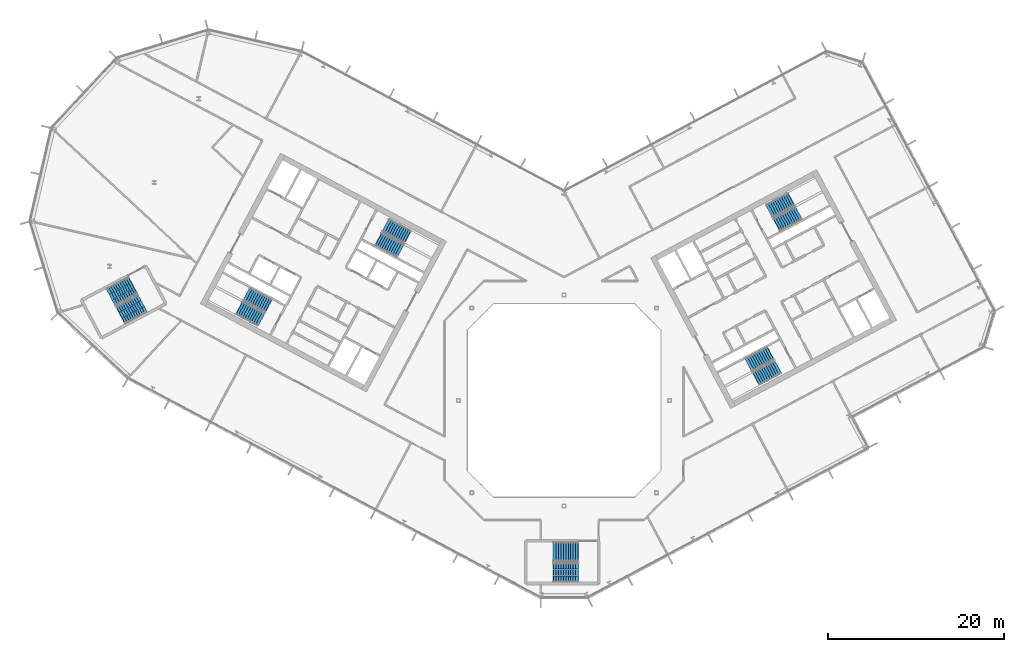
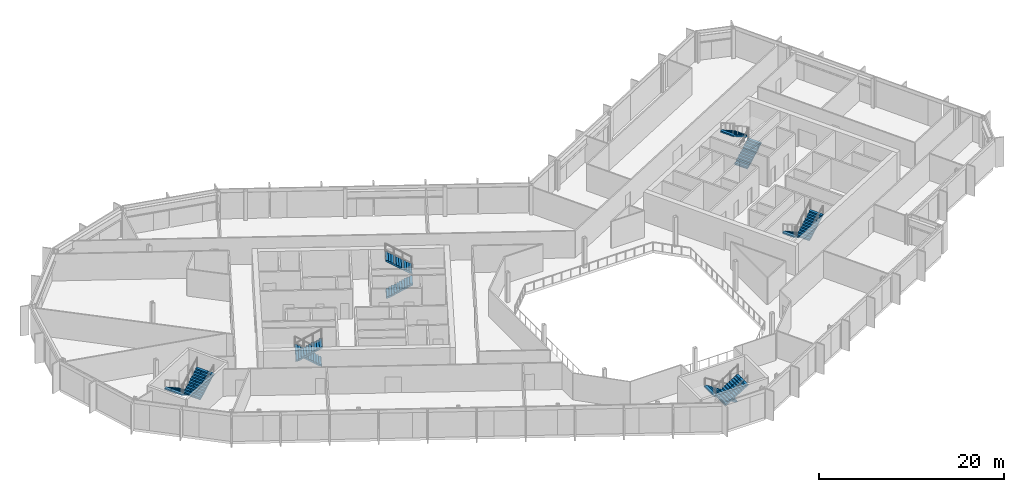
# One storey, part 17 of 26: 12 stair flights, 6 elements without a shape of their own.
"""IFC4 building model written with IfcOpenShell, lengths in metres."""

from ifc_helpers import new_model, si_unit, direction, frame, origin, place, context, subcontext, project, spatial, polyline, outline, extrude, material, type_object, element, aggregate, save


model = new_model("IFC4")

# Units and contexts
model_context = context("Model", 3, precision=1e-05, world=origin(), true_north=direction((0.0, 1.0)))
body_context = subcontext(model_context, "Body", "Model", "MODEL_VIEW")
ifc_project = project(units=[si_unit("LENGTHUNIT", "METRE"), si_unit("AREAUNIT", "SQUARE_METRE"), si_unit("VOLUMEUNIT", "CUBIC_METRE"), si_unit("PLANEANGLEUNIT", "RADIAN"), si_unit("MASSUNIT", "GRAM", prefix="KILO")], contexts=[model_context])

# Site, building, storey
site_placement = place(None, origin())
site = spatial("IfcSite", under=ifc_project, at=site_placement, CompositionType="ELEMENT")
building_placement = place(site_placement, origin())
building = spatial("IfcBuilding", under=site, at=building_placement, Name="Cormorant Relay Tower", CompositionType="ELEMENT")
storey_placement = place(building_placement, frame((0.0, 0.0, 244.199951171875)))
storey = spatial("IfcBuildingStorey", under=building, at=storey_placement, Name="L54", CompositionType="ELEMENT", Elevation=244.199951171875)

# Stair, stair flights
ifc_material_1 = material(Name="Concrete 40 MPa", Category="concrete")
stair_type_1 = type_object("IfcStairType", Name="Exit stair 1500", PredefinedType="HALF_TURN_STAIR", material=ifc_material_1)
stair_1_placement = place(storey_placement, origin())
stair_1 = element("IfcStair", 1, at=stair_1_placement, inside=storey, type_object=stair_type_1, Name="L54 Stair", PredefinedType="HALF_TURN_STAIR")
ifc_material_2 = material(Name="Concrete 40 MPa", Category="concrete")
stair_flight_type_1 = type_object("IfcStairFlightType", Name="Exit stair flight 1650", PredefinedType="STRAIGHT", material=ifc_material_2)
stair_flight_1_placement = place(storey_placement, frame((-21.114501953125, 18.33349609375, 0.0), z_axis=(0.0, 0.0, 1.0), x_axis=(0.882947592859, -0.469471562786, 0.0)))
stair_flight_1 = element("IfcStairFlight", 2, at=stair_flight_1_placement, type_object=stair_flight_type_1, Name="A1 flight 1", NumberOfRisers=11, NumberOfTreads=10, PredefinedType="STRAIGHT", RiserHeight=0.177272727, TreadLength=0.28, context=body_context, shape_type="SweptSolid", body=[
    extrude(outline(polyline([(-0.050048828125, -0.080078125), (-0.050048828125, 0.0), (0.0, 0.0), (0.0, 0.17724609375), (0.280029296875, 0.17724609375), (0.280029296875, 0.3544921875), (0.56005859375, 0.3544921875), (0.56005859375, 0.53173828125), (0.840087890625, 0.53173828125), (0.840087890625, 0.708984375), (1.1201171875, 0.708984375), (1.1201171875, 0.886474609375), (1.39990234375, 0.886474609375), (1.39990234375, 1.063720703125), (1.679931640625, 1.063720703125), (1.679931640625, 1.240966796875), (1.9599609375, 1.240966796875), (1.9599609375, 1.418212890625), (2.239990234375, 1.418212890625), (2.239990234375, 1.595458984375), (2.52001953125, 1.595458984375), (2.52001953125, 1.772705078125), (2.800048828125, 1.772705078125), (2.85009765625, 1.772705078125), (2.85009765625, 1.59521484375), (2.800048828125, 1.59521484375), (0.2802734375, 0.0), (-0.050048828125, -0.080078125)])), frame((0.0, 0.824951171875, 0.0), z_axis=(0.0, -1.0, 0.0), x_axis=(1.0, 0.0, 0.0)), (0.0, 0.0, 1.0), 1.64990234375),
])
stair_flight_2_placement = place(storey_placement, frame((-17.797119140625, 18.6083984375, 1.949951171875), z_axis=(0.0, 0.0, 1.0), x_axis=(-0.882947592859, 0.469471562786, 0.0)))
stair_flight_2 = element("IfcStairFlight", 3, at=stair_flight_2_placement, type_object=stair_flight_type_1, Name="A1 flight 2", NumberOfRisers=11, NumberOfTreads=10, PredefinedType="STRAIGHT", RiserHeight=0.177272727, TreadLength=0.28, context=body_context, shape_type="SweptSolid", body=[
    extrude(outline(polyline([(-0.050048828125, -0.080078125), (-0.050048828125, 0.0), (0.0, 0.0), (0.0, 0.17724609375), (0.280029296875, 0.17724609375), (0.280029296875, 0.3544921875), (0.56005859375, 0.3544921875), (0.56005859375, 0.53173828125), (0.840087890625, 0.53173828125), (0.840087890625, 0.708984375), (1.1201171875, 0.708984375), (1.1201171875, 0.886474609375), (1.39990234375, 0.886474609375), (1.39990234375, 1.063720703125), (1.679931640625, 1.063720703125), (1.679931640625, 1.240966796875), (1.9599609375, 1.240966796875), (1.9599609375, 1.418212890625), (2.239990234375, 1.418212890625), (2.239990234375, 1.595458984375), (2.52001953125, 1.595458984375), (2.52001953125, 1.772705078125), (2.800048828125, 1.772705078125), (2.85009765625, 1.772705078125), (2.85009765625, 1.59521484375), (2.800048828125, 1.59521484375), (0.2802734375, 0.0), (-0.050048828125, -0.080078125)])), frame((0.0, 0.824951171875, 0.0), z_axis=(0.0, -1.0, 0.0), x_axis=(1.0, 0.0, 0.0)), (0.0, 0.0, 1.0), 1.64990234375),
])
aggregate(stair_1, [stair_flight_1, stair_flight_2])

stair_2_placement = place(storey_placement, origin())
stair_2 = element("IfcStair", 4, at=stair_2_placement, inside=storey, type_object=stair_type_1, Name="L54 Stair", PredefinedType="HALF_TURN_STAIR")
stair_flight_3_placement = place(storey_placement, frame((-33.62841796875, 10.773681640625, 0.0), z_axis=(0.0, 0.0, 1.0), x_axis=(-0.882947592859, 0.469471562786, 0.0)))
stair_flight_3 = element("IfcStairFlight", 5, at=stair_flight_3_placement, type_object=stair_flight_type_1, Name="A2 flight 1", NumberOfRisers=11, NumberOfTreads=10, PredefinedType="STRAIGHT", RiserHeight=0.177272727, TreadLength=0.28, context=body_context, shape_type="SweptSolid", body=[
    extrude(outline(polyline([(-0.050048828125, -0.080078125), (-0.050048828125, 0.0), (0.0, 0.0), (0.0, 0.17724609375), (0.280029296875, 0.17724609375), (0.280029296875, 0.3544921875), (0.56005859375, 0.3544921875), (0.56005859375, 0.53173828125), (0.840087890625, 0.53173828125), (0.840087890625, 0.708984375), (1.1201171875, 0.708984375), (1.1201171875, 0.886474609375), (1.39990234375, 0.886474609375), (1.39990234375, 1.063720703125), (1.679931640625, 1.063720703125), (1.679931640625, 1.240966796875), (1.9599609375, 1.240966796875), (1.9599609375, 1.418212890625), (2.239990234375, 1.418212890625), (2.239990234375, 1.595458984375), (2.52001953125, 1.595458984375), (2.52001953125, 1.772705078125), (2.800048828125, 1.772705078125), (2.85009765625, 1.772705078125), (2.85009765625, 1.59521484375), (2.800048828125, 1.59521484375), (0.2802734375, 0.0), (-0.050048828125, -0.080078125)])), frame((0.0, 0.824951171875, 0.0), z_axis=(0.0, -1.0, 0.0), x_axis=(1.0, 0.0, 0.0)), (0.0, 0.0, 1.0), 1.64990234375),
])
stair_flight_4_placement = place(storey_placement, frame((-36.945556640625, 10.498779296875, 1.949951171875), z_axis=(0.0, 0.0, 1.0), x_axis=(0.882947592859, -0.469471562786, 0.0)))
stair_flight_4 = element("IfcStairFlight", 6, at=stair_flight_4_placement, type_object=stair_flight_type_1, Name="A2 flight 2", NumberOfRisers=11, NumberOfTreads=10, PredefinedType="STRAIGHT", RiserHeight=0.177272727, TreadLength=0.28, context=body_context, shape_type="SweptSolid", body=[
    extrude(outline(polyline([(-0.050048828125, -0.080078125), (-0.050048828125, 0.0), (0.0, 0.0), (0.0, 0.17724609375), (0.280029296875, 0.17724609375), (0.280029296875, 0.3544921875), (0.56005859375, 0.3544921875), (0.56005859375, 0.53173828125), (0.840087890625, 0.53173828125), (0.840087890625, 0.708984375), (1.1201171875, 0.708984375), (1.1201171875, 0.886474609375), (1.39990234375, 0.886474609375), (1.39990234375, 1.063720703125), (1.679931640625, 1.063720703125), (1.679931640625, 1.240966796875), (1.9599609375, 1.240966796875), (1.9599609375, 1.418212890625), (2.239990234375, 1.418212890625), (2.239990234375, 1.595458984375), (2.52001953125, 1.595458984375), (2.52001953125, 1.772705078125), (2.800048828125, 1.772705078125), (2.85009765625, 1.772705078125), (2.85009765625, 1.59521484375), (2.800048828125, 1.59521484375), (0.2802734375, 0.0), (-0.050048828125, -0.080078125)])), frame((0.0, 0.824951171875, 0.0), z_axis=(0.0, -1.0, 0.0), x_axis=(1.0, 0.0, 0.0)), (0.0, 0.0, 1.0), 1.64990234375),
])
aggregate(stair_2, [stair_flight_3, stair_flight_4])

stair_3_placement = place(storey_placement, origin())
stair_3 = element("IfcStair", 7, at=stair_3_placement, inside=storey, type_object=stair_type_1, Name="L54 Stair", PredefinedType="HALF_TURN_STAIR")
stair_flight_5_placement = place(storey_placement, frame((23.474365234375, 5.374755859375, 0.0), z_axis=(0.0, 0.0, 1.0), x_axis=(-0.882947592859, -0.469471562786, 0.0)))
stair_flight_5 = element("IfcStairFlight", 8, at=stair_flight_5_placement, type_object=stair_flight_type_1, Name="B1 flight 1", NumberOfRisers=11, NumberOfTreads=10, PredefinedType="STRAIGHT", RiserHeight=0.177272727, TreadLength=0.28, context=body_context, shape_type="SweptSolid", body=[
    extrude(outline(polyline([(-0.050048828125, -0.080078125), (-0.050048828125, 0.0), (0.0, 0.0), (0.0, 0.17724609375), (0.280029296875, 0.17724609375), (0.280029296875, 0.3544921875), (0.56005859375, 0.3544921875), (0.56005859375, 0.53173828125), (0.840087890625, 0.53173828125), (0.840087890625, 0.708984375), (1.1201171875, 0.708984375), (1.1201171875, 0.886474609375), (1.39990234375, 0.886474609375), (1.39990234375, 1.063720703125), (1.679931640625, 1.063720703125), (1.679931640625, 1.240966796875), (1.9599609375, 1.240966796875), (1.9599609375, 1.418212890625), (2.239990234375, 1.418212890625), (2.239990234375, 1.595458984375), (2.52001953125, 1.595458984375), (2.52001953125, 1.772705078125), (2.800048828125, 1.772705078125), (2.85009765625, 1.772705078125), (2.85009765625, 1.59521484375), (2.800048828125, 1.59521484375), (0.2802734375, 0.0), (-0.050048828125, -0.080078125)])), frame((0.0, 0.824951171875, 0.0), z_axis=(0.0, -1.0, 0.0), x_axis=(1.0, 0.0, 0.0)), (0.0, 0.0, 1.0), 1.64990234375),
])
stair_flight_6_placement = place(storey_placement, frame((21.84716796875, 2.470947265625, 1.949951171875), z_axis=(0.0, 0.0, 1.0), x_axis=(0.882947592859, 0.469471562786, 0.0)))
stair_flight_6 = element("IfcStairFlight", 9, at=stair_flight_6_placement, type_object=stair_flight_type_1, Name="B1 flight 2", NumberOfRisers=11, NumberOfTreads=10, PredefinedType="STRAIGHT", RiserHeight=0.177272727, TreadLength=0.28, context=body_context, shape_type="SweptSolid", body=[
    extrude(outline(polyline([(-0.050048828125, -0.080078125), (-0.050048828125, 0.0), (0.0, 0.0), (0.0, 0.17724609375), (0.280029296875, 0.17724609375), (0.280029296875, 0.3544921875), (0.56005859375, 0.3544921875), (0.56005859375, 0.53173828125), (0.840087890625, 0.53173828125), (0.840087890625, 0.708984375), (1.1201171875, 0.708984375), (1.1201171875, 0.886474609375), (1.39990234375, 0.886474609375), (1.39990234375, 1.063720703125), (1.679931640625, 1.063720703125), (1.679931640625, 1.240966796875), (1.9599609375, 1.240966796875), (1.9599609375, 1.418212890625), (2.239990234375, 1.418212890625), (2.239990234375, 1.595458984375), (2.52001953125, 1.595458984375), (2.52001953125, 1.772705078125), (2.800048828125, 1.772705078125), (2.85009765625, 1.772705078125), (2.85009765625, 1.59521484375), (2.800048828125, 1.59521484375), (0.2802734375, 0.0), (-0.050048828125, -0.080078125)])), frame((0.0, 0.824951171875, 0.0), z_axis=(0.0, -1.0, 0.0), x_axis=(1.0, 0.0, 0.0)), (0.0, 0.0, 1.0), 1.64990234375),
])
aggregate(stair_3, [stair_flight_5, stair_flight_6])

stair_4_placement = place(storey_placement, origin())
stair_4 = element("IfcStair", 10, at=stair_4_placement, inside=storey, type_object=stair_type_1, Name="L54 Stair", PredefinedType="HALF_TURN_STAIR")
stair_flight_7_placement = place(storey_placement, frame((24.20458984375, 19.976806640625, 0.0), z_axis=(0.0, 0.0, 1.0), x_axis=(0.882947592859, 0.469471562786, 0.0)))
stair_flight_7 = element("IfcStairFlight", 11, at=stair_flight_7_placement, type_object=stair_flight_type_1, Name="B2 flight 1", NumberOfRisers=11, NumberOfTreads=10, PredefinedType="STRAIGHT", RiserHeight=0.177272727, TreadLength=0.28, context=body_context, shape_type="SweptSolid", body=[
    extrude(outline(polyline([(-0.050048828125, -0.080078125), (-0.050048828125, 0.0), (0.0, 0.0), (0.0, 0.17724609375), (0.280029296875, 0.17724609375), (0.280029296875, 0.3544921875), (0.56005859375, 0.3544921875), (0.56005859375, 0.53173828125), (0.840087890625, 0.53173828125), (0.840087890625, 0.708984375), (1.1201171875, 0.708984375), (1.1201171875, 0.886474609375), (1.39990234375, 0.886474609375), (1.39990234375, 1.063720703125), (1.679931640625, 1.063720703125), (1.679931640625, 1.240966796875), (1.9599609375, 1.240966796875), (1.9599609375, 1.418212890625), (2.239990234375, 1.418212890625), (2.239990234375, 1.595458984375), (2.52001953125, 1.595458984375), (2.52001953125, 1.772705078125), (2.800048828125, 1.772705078125), (2.85009765625, 1.772705078125), (2.85009765625, 1.59521484375), (2.800048828125, 1.59521484375), (0.2802734375, 0.0), (-0.050048828125, -0.080078125)])), frame((0.0, 0.824951171875, 0.0), z_axis=(0.0, -1.0, 0.0), x_axis=(1.0, 0.0, 0.0)), (0.0, 0.0, 1.0), 1.64990234375),
])
stair_flight_8_placement = place(storey_placement, frame((25.831787109375, 22.880615234375, 1.949951171875), z_axis=(0.0, 0.0, 1.0), x_axis=(-0.882947592859, -0.469471562786, 0.0)))
stair_flight_8 = element("IfcStairFlight", 12, at=stair_flight_8_placement, type_object=stair_flight_type_1, Name="B2 flight 2", NumberOfRisers=11, NumberOfTreads=10, PredefinedType="STRAIGHT", RiserHeight=0.177272727, TreadLength=0.28, context=body_context, shape_type="SweptSolid", body=[
    extrude(outline(polyline([(-0.050048828125, -0.080078125), (-0.050048828125, 0.0), (0.0, 0.0), (0.0, 0.17724609375), (0.280029296875, 0.17724609375), (0.280029296875, 0.3544921875), (0.56005859375, 0.3544921875), (0.56005859375, 0.53173828125), (0.840087890625, 0.53173828125), (0.840087890625, 0.708984375), (1.1201171875, 0.708984375), (1.1201171875, 0.886474609375), (1.39990234375, 0.886474609375), (1.39990234375, 1.063720703125), (1.679931640625, 1.063720703125), (1.679931640625, 1.240966796875), (1.9599609375, 1.240966796875), (1.9599609375, 1.418212890625), (2.239990234375, 1.418212890625), (2.239990234375, 1.595458984375), (2.52001953125, 1.595458984375), (2.52001953125, 1.772705078125), (2.800048828125, 1.772705078125), (2.85009765625, 1.772705078125), (2.85009765625, 1.59521484375), (2.800048828125, 1.59521484375), (0.2802734375, 0.0), (-0.050048828125, -0.080078125)])), frame((0.0, 0.824951171875, 0.0), z_axis=(0.0, -1.0, 0.0), x_axis=(1.0, 0.0, 0.0)), (0.0, 0.0, 1.0), 1.64990234375),
])
aggregate(stair_4, [stair_flight_7, stair_flight_8])

ifc_material_3 = material(Name="Concrete 40 MPa", Category="concrete")
stair_type_2 = type_object("IfcStairType", Name="Remote exit stair 2200", PredefinedType="HALF_TURN_STAIR", material=ifc_material_3)
stair_5_placement = place(storey_placement, origin())
stair_5 = element("IfcStair", 13, at=stair_5_placement, inside=storey, type_object=stair_type_2, Name="L54 Stair", PredefinedType="HALF_TURN_STAIR")
ifc_material_4 = material(Name="Concrete 40 MPa", Category="concrete")
stair_flight_type_2 = type_object("IfcStairFlightType", Name="Remote exit stair flight 2200", PredefinedType="STRAIGHT", material=ifc_material_4)
stair_flight_9_placement = place(storey_placement, frame((1.60009765625, -17.22509765625, 0.0), z_axis=(0.0, 0.0, 1.0), x_axis=(-1.0, 0.0, 0.0)))
stair_flight_9 = element("IfcStairFlight", 14, at=stair_flight_9_placement, type_object=stair_flight_type_2, Name="RK1 flight 1", NumberOfRisers=11, NumberOfTreads=10, PredefinedType="STRAIGHT", RiserHeight=0.177272727, TreadLength=0.28, context=body_context, shape_type="SweptSolid", body=[
    extrude(outline(polyline([(-0.050048828125, -0.080078125), (-0.050048828125, 0.0), (0.0, 0.0), (0.0, 0.17724609375), (0.280029296875, 0.17724609375), (0.280029296875, 0.3544921875), (0.56005859375, 0.3544921875), (0.56005859375, 0.53173828125), (0.840087890625, 0.53173828125), (0.840087890625, 0.708984375), (1.1201171875, 0.708984375), (1.1201171875, 0.886474609375), (1.39990234375, 0.886474609375), (1.39990234375, 1.063720703125), (1.679931640625, 1.063720703125), (1.679931640625, 1.240966796875), (1.9599609375, 1.240966796875), (1.9599609375, 1.418212890625), (2.239990234375, 1.418212890625), (2.239990234375, 1.595458984375), (2.52001953125, 1.595458984375), (2.52001953125, 1.772705078125), (2.800048828125, 1.772705078125), (2.85009765625, 1.772705078125), (2.85009765625, 1.59521484375), (2.800048828125, 1.59521484375), (0.2802734375, 0.0), (-0.050048828125, -0.080078125)])), frame((0.0, 1.10009765625, 0.0), z_axis=(0.0, -1.0, 0.0), x_axis=(1.0, 0.0, 0.0)), (0.0, 0.0, 1.0), 0.719970703125),
    extrude(outline(polyline([(-0.050048828125, -0.080078125), (-0.050048828125, 0.0), (0.0, 0.0), (0.0, 0.17724609375), (0.280029296875, 0.17724609375), (0.280029296875, 0.3544921875), (0.56005859375, 0.3544921875), (0.56005859375, 0.53173828125), (0.840087890625, 0.53173828125), (0.840087890625, 0.708984375), (1.1201171875, 0.708984375), (1.1201171875, 0.886474609375), (1.39990234375, 0.886474609375), (1.39990234375, 1.063720703125), (1.679931640625, 1.063720703125), (1.679931640625, 1.240966796875), (1.9599609375, 1.240966796875), (1.9599609375, 1.418212890625), (2.239990234375, 1.418212890625), (2.239990234375, 1.595458984375), (2.52001953125, 1.595458984375), (2.52001953125, 1.772705078125), (2.800048828125, 1.772705078125), (2.85009765625, 1.772705078125), (2.85009765625, 1.59521484375), (2.800048828125, 1.59521484375), (0.2802734375, 0.0), (-0.050048828125, -0.080078125)])), frame((0.0, 0.360107421875, 0.0), z_axis=(0.0, -1.0, 0.0), x_axis=(1.0, 0.0, 0.0)), (0.0, 0.0, 1.0), 0.719970703125),
    extrude(outline(polyline([(-0.050048828125, -0.080078125), (-0.050048828125, 0.0), (0.0, 0.0), (0.0, 0.17724609375), (0.280029296875, 0.17724609375), (0.280029296875, 0.3544921875), (0.56005859375, 0.3544921875), (0.56005859375, 0.53173828125), (0.840087890625, 0.53173828125), (0.840087890625, 0.708984375), (1.1201171875, 0.708984375), (1.1201171875, 0.886474609375), (1.39990234375, 0.886474609375), (1.39990234375, 1.063720703125), (1.679931640625, 1.063720703125), (1.679931640625, 1.240966796875), (1.9599609375, 1.240966796875), (1.9599609375, 1.418212890625), (2.239990234375, 1.418212890625), (2.239990234375, 1.595458984375), (2.52001953125, 1.595458984375), (2.52001953125, 1.772705078125), (2.800048828125, 1.772705078125), (2.85009765625, 1.772705078125), (2.85009765625, 1.59521484375), (2.800048828125, 1.59521484375), (0.2802734375, 0.0), (-0.050048828125, -0.080078125)])), frame((0.0, -0.3798828125, 0.0), z_axis=(0.0, -1.0, 0.0), x_axis=(1.0, 0.0, 0.0)), (0.0, 0.0, 1.0), 0.719970703125),
])
stair_flight_10_placement = place(storey_placement, frame((-1.199951171875, -19.574951171875, 1.949951171875), z_axis=(0.0, 0.0, 1.0), x_axis=(1.0, 0.0, 0.0)))
stair_flight_10 = element("IfcStairFlight", 15, at=stair_flight_10_placement, type_object=stair_flight_type_2, Name="RK1 flight 2", NumberOfRisers=11, NumberOfTreads=10, PredefinedType="STRAIGHT", RiserHeight=0.177272727, TreadLength=0.28, context=body_context, shape_type="SweptSolid", body=[
    extrude(outline(polyline([(-0.050048828125, -0.080078125), (-0.050048828125, 0.0), (0.0, 0.0), (0.0, 0.17724609375), (0.280029296875, 0.17724609375), (0.280029296875, 0.3544921875), (0.56005859375, 0.3544921875), (0.56005859375, 0.53173828125), (0.840087890625, 0.53173828125), (0.840087890625, 0.708984375), (1.1201171875, 0.708984375), (1.1201171875, 0.886474609375), (1.39990234375, 0.886474609375), (1.39990234375, 1.063720703125), (1.679931640625, 1.063720703125), (1.679931640625, 1.240966796875), (1.9599609375, 1.240966796875), (1.9599609375, 1.418212890625), (2.239990234375, 1.418212890625), (2.239990234375, 1.595458984375), (2.52001953125, 1.595458984375), (2.52001953125, 1.772705078125), (2.800048828125, 1.772705078125), (2.85009765625, 1.772705078125), (2.85009765625, 1.59521484375), (2.800048828125, 1.59521484375), (0.2802734375, 0.0), (-0.050048828125, -0.080078125)])), frame((0.0, 1.10009765625, 0.0), z_axis=(0.0, -1.0, 0.0), x_axis=(1.0, 0.0, 0.0)), (0.0, 0.0, 1.0), 0.719970703125),
    extrude(outline(polyline([(-0.050048828125, -0.080078125), (-0.050048828125, 0.0), (0.0, 0.0), (0.0, 0.17724609375), (0.280029296875, 0.17724609375), (0.280029296875, 0.3544921875), (0.56005859375, 0.3544921875), (0.56005859375, 0.53173828125), (0.840087890625, 0.53173828125), (0.840087890625, 0.708984375), (1.1201171875, 0.708984375), (1.1201171875, 0.886474609375), (1.39990234375, 0.886474609375), (1.39990234375, 1.063720703125), (1.679931640625, 1.063720703125), (1.679931640625, 1.240966796875), (1.9599609375, 1.240966796875), (1.9599609375, 1.418212890625), (2.239990234375, 1.418212890625), (2.239990234375, 1.595458984375), (2.52001953125, 1.595458984375), (2.52001953125, 1.772705078125), (2.800048828125, 1.772705078125), (2.85009765625, 1.772705078125), (2.85009765625, 1.59521484375), (2.800048828125, 1.59521484375), (0.2802734375, 0.0), (-0.050048828125, -0.080078125)])), frame((0.0, 0.360107421875, 0.0), z_axis=(0.0, -1.0, 0.0), x_axis=(1.0, 0.0, 0.0)), (0.0, 0.0, 1.0), 0.719970703125),
    extrude(outline(polyline([(-0.050048828125, -0.080078125), (-0.050048828125, 0.0), (0.0, 0.0), (0.0, 0.17724609375), (0.280029296875, 0.17724609375), (0.280029296875, 0.3544921875), (0.56005859375, 0.3544921875), (0.56005859375, 0.53173828125), (0.840087890625, 0.53173828125), (0.840087890625, 0.708984375), (1.1201171875, 0.708984375), (1.1201171875, 0.886474609375), (1.39990234375, 0.886474609375), (1.39990234375, 1.063720703125), (1.679931640625, 1.063720703125), (1.679931640625, 1.240966796875), (1.9599609375, 1.240966796875), (1.9599609375, 1.418212890625), (2.239990234375, 1.418212890625), (2.239990234375, 1.595458984375), (2.52001953125, 1.595458984375), (2.52001953125, 1.772705078125), (2.800048828125, 1.772705078125), (2.85009765625, 1.772705078125), (2.85009765625, 1.59521484375), (2.800048828125, 1.59521484375), (0.2802734375, 0.0), (-0.050048828125, -0.080078125)])), frame((0.0, -0.3798828125, 0.0), z_axis=(0.0, -1.0, 0.0), x_axis=(1.0, 0.0, 0.0)), (0.0, 0.0, 1.0), 0.719970703125),
])
aggregate(stair_5, [stair_flight_9, stair_flight_10])

stair_6_placement = place(storey_placement, origin())
stair_6 = element("IfcStair", 16, at=stair_6_placement, inside=storey, type_object=stair_type_2, Name="L54 Stair", PredefinedType="HALF_TURN_STAIR")
stair_flight_11_placement = place(storey_placement, frame((-49.062255859375, 13.08251953125, 0.0), z_axis=(0.0, 0.0, 1.0), x_axis=(-0.882947502727, -0.4694717323, 0.0)))
stair_flight_11 = element("IfcStairFlight", 17, at=stair_flight_11_placement, type_object=stair_flight_type_2, Name="RP1 flight 1", NumberOfRisers=11, NumberOfTreads=10, PredefinedType="STRAIGHT", RiserHeight=0.177272727, TreadLength=0.28, context=body_context, shape_type="SweptSolid", body=[
    extrude(outline(polyline([(-0.050048828125, -0.080078125), (-0.050048828125, 0.0), (0.0, 0.0), (0.0, 0.17724609375), (0.280029296875, 0.17724609375), (0.280029296875, 0.3544921875), (0.56005859375, 0.3544921875), (0.56005859375, 0.53173828125), (0.840087890625, 0.53173828125), (0.840087890625, 0.708984375), (1.1201171875, 0.708984375), (1.1201171875, 0.886474609375), (1.39990234375, 0.886474609375), (1.39990234375, 1.063720703125), (1.679931640625, 1.063720703125), (1.679931640625, 1.240966796875), (1.9599609375, 1.240966796875), (1.9599609375, 1.418212890625), (2.239990234375, 1.418212890625), (2.239990234375, 1.595458984375), (2.52001953125, 1.595458984375), (2.52001953125, 1.772705078125), (2.800048828125, 1.772705078125), (2.85009765625, 1.772705078125), (2.85009765625, 1.59521484375), (2.800048828125, 1.59521484375), (0.2802734375, 0.0), (-0.050048828125, -0.080078125)])), frame((0.0, 1.10009765625, 0.0), z_axis=(0.0, -1.0, 0.0), x_axis=(1.0, 0.0, 0.0)), (0.0, 0.0, 1.0), 0.719970703125),
    extrude(outline(polyline([(-0.050048828125, -0.080078125), (-0.050048828125, 0.0), (0.0, 0.0), (0.0, 0.17724609375), (0.280029296875, 0.17724609375), (0.280029296875, 0.3544921875), (0.56005859375, 0.3544921875), (0.56005859375, 0.53173828125), (0.840087890625, 0.53173828125), (0.840087890625, 0.708984375), (1.1201171875, 0.708984375), (1.1201171875, 0.886474609375), (1.39990234375, 0.886474609375), (1.39990234375, 1.063720703125), (1.679931640625, 1.063720703125), (1.679931640625, 1.240966796875), (1.9599609375, 1.240966796875), (1.9599609375, 1.418212890625), (2.239990234375, 1.418212890625), (2.239990234375, 1.595458984375), (2.52001953125, 1.595458984375), (2.52001953125, 1.772705078125), (2.800048828125, 1.772705078125), (2.85009765625, 1.772705078125), (2.85009765625, 1.59521484375), (2.800048828125, 1.59521484375), (0.2802734375, 0.0), (-0.050048828125, -0.080078125)])), frame((0.0, 0.360107421875, 0.0), z_axis=(0.0, -1.0, 0.0), x_axis=(1.0, 0.0, 0.0)), (0.0, 0.0, 1.0), 0.719970703125),
    extrude(outline(polyline([(-0.050048828125, -0.080078125), (-0.050048828125, 0.0), (0.0, 0.0), (0.0, 0.17724609375), (0.280029296875, 0.17724609375), (0.280029296875, 0.3544921875), (0.56005859375, 0.3544921875), (0.56005859375, 0.53173828125), (0.840087890625, 0.53173828125), (0.840087890625, 0.708984375), (1.1201171875, 0.708984375), (1.1201171875, 0.886474609375), (1.39990234375, 0.886474609375), (1.39990234375, 1.063720703125), (1.679931640625, 1.063720703125), (1.679931640625, 1.240966796875), (1.9599609375, 1.240966796875), (1.9599609375, 1.418212890625), (2.239990234375, 1.418212890625), (2.239990234375, 1.595458984375), (2.52001953125, 1.595458984375), (2.52001953125, 1.772705078125), (2.800048828125, 1.772705078125), (2.85009765625, 1.772705078125), (2.85009765625, 1.59521484375), (2.800048828125, 1.59521484375), (0.2802734375, 0.0), (-0.050048828125, -0.080078125)])), frame((0.0, -0.3798828125, 0.0), z_axis=(0.0, -1.0, 0.0), x_axis=(1.0, 0.0, 0.0)), (0.0, 0.0, 1.0), 0.719970703125),
])
stair_flight_12_placement = place(storey_placement, frame((-50.431396484375, 9.693115234375, 1.949951171875), z_axis=(0.0, 0.0, 1.0), x_axis=(0.882947502727, 0.4694717323, 0.0)))
stair_flight_12 = element("IfcStairFlight", 18, at=stair_flight_12_placement, type_object=stair_flight_type_2, Name="RP1 flight 2", NumberOfRisers=11, NumberOfTreads=10, PredefinedType="STRAIGHT", RiserHeight=0.177272727, TreadLength=0.28, context=body_context, shape_type="SweptSolid", body=[
    extrude(outline(polyline([(-0.050048828125, -0.080078125), (-0.050048828125, 0.0), (0.0, 0.0), (0.0, 0.17724609375), (0.280029296875, 0.17724609375), (0.280029296875, 0.3544921875), (0.56005859375, 0.3544921875), (0.56005859375, 0.53173828125), (0.840087890625, 0.53173828125), (0.840087890625, 0.708984375), (1.1201171875, 0.708984375), (1.1201171875, 0.886474609375), (1.39990234375, 0.886474609375), (1.39990234375, 1.063720703125), (1.679931640625, 1.063720703125), (1.679931640625, 1.240966796875), (1.9599609375, 1.240966796875), (1.9599609375, 1.418212890625), (2.239990234375, 1.418212890625), (2.239990234375, 1.595458984375), (2.52001953125, 1.595458984375), (2.52001953125, 1.772705078125), (2.800048828125, 1.772705078125), (2.85009765625, 1.772705078125), (2.85009765625, 1.59521484375), (2.800048828125, 1.59521484375), (0.2802734375, 0.0), (-0.050048828125, -0.080078125)])), frame((0.0, 1.10009765625, 0.0), z_axis=(0.0, -1.0, 0.0), x_axis=(1.0, 0.0, 0.0)), (0.0, 0.0, 1.0), 0.719970703125),
    extrude(outline(polyline([(-0.050048828125, -0.080078125), (-0.050048828125, 0.0), (0.0, 0.0), (0.0, 0.17724609375), (0.280029296875, 0.17724609375), (0.280029296875, 0.3544921875), (0.56005859375, 0.3544921875), (0.56005859375, 0.53173828125), (0.840087890625, 0.53173828125), (0.840087890625, 0.708984375), (1.1201171875, 0.708984375), (1.1201171875, 0.886474609375), (1.39990234375, 0.886474609375), (1.39990234375, 1.063720703125), (1.679931640625, 1.063720703125), (1.679931640625, 1.240966796875), (1.9599609375, 1.240966796875), (1.9599609375, 1.418212890625), (2.239990234375, 1.418212890625), (2.239990234375, 1.595458984375), (2.52001953125, 1.595458984375), (2.52001953125, 1.772705078125), (2.800048828125, 1.772705078125), (2.85009765625, 1.772705078125), (2.85009765625, 1.59521484375), (2.800048828125, 1.59521484375), (0.2802734375, 0.0), (-0.050048828125, -0.080078125)])), frame((0.0, 0.360107421875, 0.0), z_axis=(0.0, -1.0, 0.0), x_axis=(1.0, 0.0, 0.0)), (0.0, 0.0, 1.0), 0.719970703125),
    extrude(outline(polyline([(-0.050048828125, -0.080078125), (-0.050048828125, 0.0), (0.0, 0.0), (0.0, 0.17724609375), (0.280029296875, 0.17724609375), (0.280029296875, 0.3544921875), (0.56005859375, 0.3544921875), (0.56005859375, 0.53173828125), (0.840087890625, 0.53173828125), (0.840087890625, 0.708984375), (1.1201171875, 0.708984375), (1.1201171875, 0.886474609375), (1.39990234375, 0.886474609375), (1.39990234375, 1.063720703125), (1.679931640625, 1.063720703125), (1.679931640625, 1.240966796875), (1.9599609375, 1.240966796875), (1.9599609375, 1.418212890625), (2.239990234375, 1.418212890625), (2.239990234375, 1.595458984375), (2.52001953125, 1.595458984375), (2.52001953125, 1.772705078125), (2.800048828125, 1.772705078125), (2.85009765625, 1.772705078125), (2.85009765625, 1.59521484375), (2.800048828125, 1.59521484375), (0.2802734375, 0.0), (-0.050048828125, -0.080078125)])), frame((0.0, -0.3798828125, 0.0), z_axis=(0.0, -1.0, 0.0), x_axis=(1.0, 0.0, 0.0)), (0.0, 0.0, 1.0), 0.719970703125),
])
aggregate(stair_6, [stair_flight_11, stair_flight_12])

save(model, "model.ifc")
